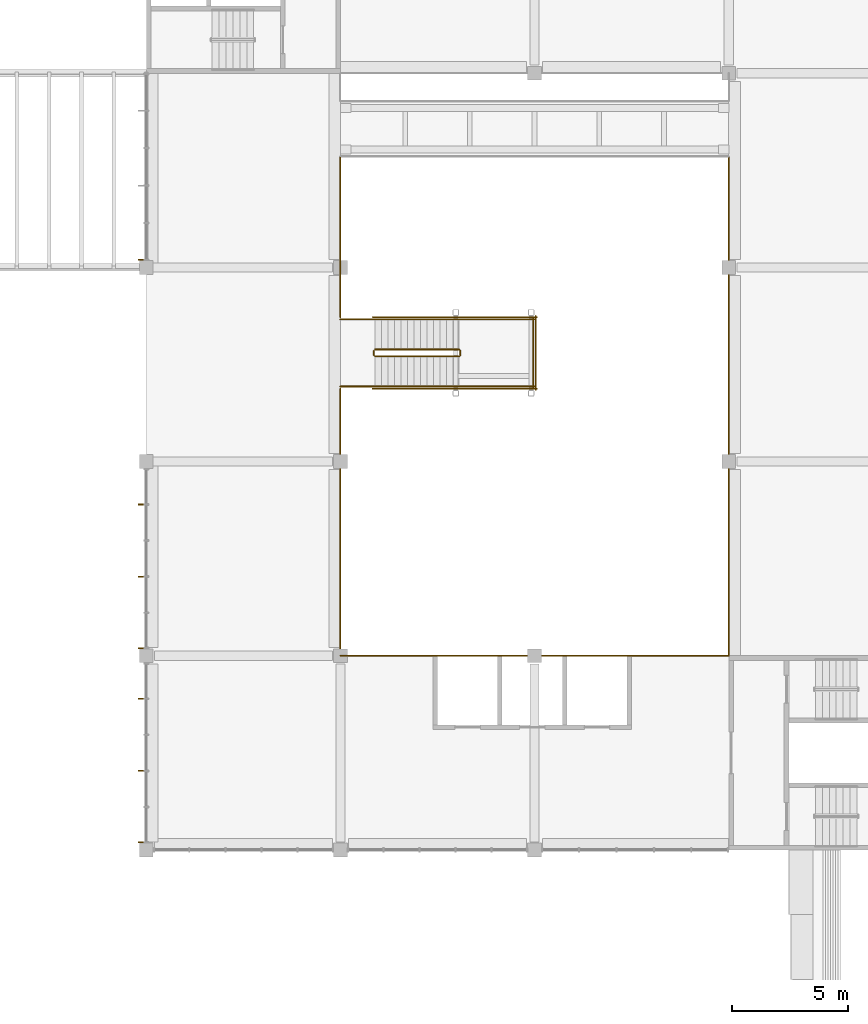
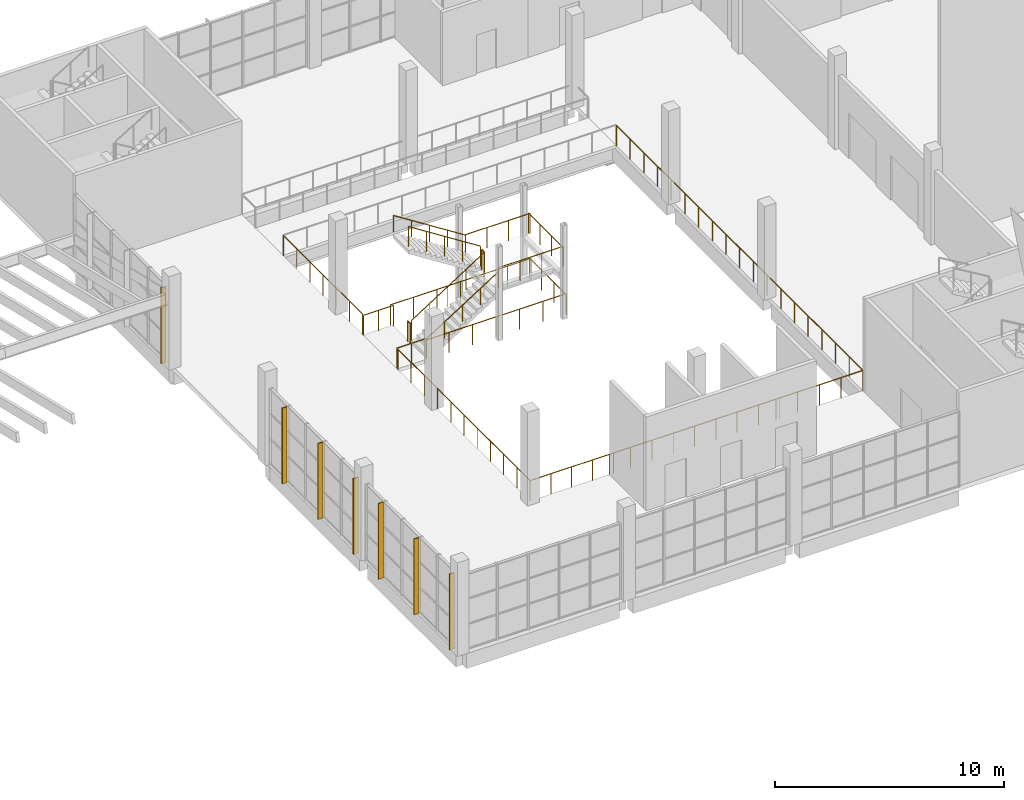
# One storey, part 53 of 59: 20 railings, 7 shading devices.
"""IFC4 building model written with IfcOpenShell, lengths in metres."""

from ifc_helpers import new_model, si_unit, direction, frame, origin, origin_2d, place, context, subcontext, project, spatial, rectangle, circle, extrude, material, material_profile, profile_set, type_object, element, save


model = new_model("IFC4")

# Units and contexts
model_context = context("Model", 3, precision=1e-05, world=origin(), true_north=direction((0.0, 1.0)))
body_context = subcontext(model_context, "Body", "Model", "MODEL_VIEW")
ifc_project = project(units=[si_unit("LENGTHUNIT", "METRE"), si_unit("AREAUNIT", "SQUARE_METRE"), si_unit("VOLUMEUNIT", "CUBIC_METRE"), si_unit("PLANEANGLEUNIT", "RADIAN"), si_unit("MASSUNIT", "GRAM", prefix="KILO")], contexts=[model_context])

# Site, building, storey
site_placement = place(None, origin())
site = spatial("IfcSite", under=ifc_project, at=site_placement, CompositionType="ELEMENT")
building_placement = place(site_placement, origin())
building = spatial("IfcBuilding", under=site, at=building_placement, Name="Almond Square Museum", CompositionType="ELEMENT")
storey_placement = place(building_placement, frame((0.0, 0.0, 25.0)))
storey = spatial("IfcBuildingStorey", under=building, at=storey_placement, Name="L04", CompositionType="ELEMENT", Elevation=25.0)

# Railings
ifc_material_1 = material(Name="Laminated glass and stainless steel", Category="steel")
railing_type_1 = type_object("IfcRailingType", Name="Atrium guard 1100 glass balustrade", PredefinedType="GUARDRAIL", material=ifc_material_1)
railing_1_placement = place(storey_placement, frame((81.60009765625, 75.60009765625, 0.0)))
element("IfcRailing", 1, at=railing_1_placement, inside=storey, type_object=railing_type_1, Name="L04 atrium guard 1", PredefinedType="GUARDRAIL", context=body_context, shape_type="SweptSolid", body=[
    extrude(circle(Radius=0.02392578125, at=origin_2d()), frame((0.0, 0.0, 1.076171875), z_axis=(0.0, 1.0, 0.0), x_axis=(-1.0, 0.0, 0.0)), (0.0, 0.0, 1.0), 11.5498046875),
    extrude(circle(Radius=0.02099609375, at=origin_2d()), origin(), (0.0, 0.0, 1.0), 1.052001953125),
    extrude(circle(Radius=0.02099609375, at=origin_2d()), frame((0.0, 1.155029296875, 0.0)), (0.0, 0.0, 1.0), 1.052001953125),
    extrude(circle(Radius=0.02099609375, at=origin_2d()), frame((0.0, 2.31005859375, 0.0)), (0.0, 0.0, 1.0), 1.052001953125),
    extrude(circle(Radius=0.02099609375, at=origin_2d()), frame((0.0, 3.46484375, 0.0)), (0.0, 0.0, 1.0), 1.052001953125),
    extrude(circle(Radius=0.02099609375, at=origin_2d()), frame((0.0, 4.619873046875, 0.0)), (0.0, 0.0, 1.0), 1.052001953125),
    extrude(circle(Radius=0.02099609375, at=origin_2d()), frame((0.0, 5.77490234375, 0.0)), (0.0, 0.0, 1.0), 1.052001953125),
    extrude(circle(Radius=0.02099609375, at=origin_2d()), frame((0.0, 6.929931640625, 0.0)), (0.0, 0.0, 1.0), 1.052001953125),
    extrude(circle(Radius=0.02099609375, at=origin_2d()), frame((0.0, 8.0849609375, 0.0)), (0.0, 0.0, 1.0), 1.052001953125),
    extrude(circle(Radius=0.02099609375, at=origin_2d()), frame((0.0, 9.23974609375, 0.0)), (0.0, 0.0, 1.0), 1.052001953125),
    extrude(circle(Radius=0.02099609375, at=origin_2d()), frame((0.0, 10.394775390625, 0.0)), (0.0, 0.0, 1.0), 1.052001953125),
    extrude(circle(Radius=0.02099609375, at=origin_2d()), frame((0.0, 11.5498046875, 0.0)), (0.0, 0.0, 1.0), 1.052001953125),
])
railing_2_placement = place(storey_placement, frame((81.60009765625, 90.25, 0.0)))
element("IfcRailing", 2, at=railing_2_placement, inside=storey, type_object=railing_type_1, Name="L04 atrium guard 2", PredefinedType="GUARDRAIL", context=body_context, shape_type="SweptSolid", body=[
    extrude(circle(Radius=0.02392578125, at=origin_2d()), frame((0.0, 0.0, 1.076171875), z_axis=(0.0, 1.0, 0.0), x_axis=(-1.0, 0.0, 0.0)), (0.0, 0.0, 1.0), 6.89990234375),
    extrude(circle(Radius=0.02099609375, at=origin_2d()), origin(), (0.0, 0.0, 1.0), 1.052001953125),
    extrude(circle(Radius=0.02099609375, at=origin_2d()), frame((0.0, 1.14990234375, 0.0)), (0.0, 0.0, 1.0), 1.052001953125),
    extrude(circle(Radius=0.02099609375, at=origin_2d()), frame((0.0, 2.300048828125, 0.0)), (0.0, 0.0, 1.0), 1.052001953125),
    extrude(circle(Radius=0.02099609375, at=origin_2d()), frame((0.0, 3.449951171875, 0.0)), (0.0, 0.0, 1.0), 1.052001953125),
    extrude(circle(Radius=0.02099609375, at=origin_2d()), frame((0.0, 4.599853515625, 0.0)), (0.0, 0.0, 1.0), 1.052001953125),
    extrude(circle(Radius=0.02099609375, at=origin_2d()), frame((0.0, 5.75, 0.0)), (0.0, 0.0, 1.0), 1.052001953125),
    extrude(circle(Radius=0.02099609375, at=origin_2d()), frame((0.0, 6.89990234375, 0.0)), (0.0, 0.0, 1.0), 1.052001953125),
])
railing_3_placement = place(storey_placement, frame((98.39990234375, 75.60009765625, 0.0)))
element("IfcRailing", 3, at=railing_3_placement, inside=storey, type_object=railing_type_1, Name="L04 atrium guard 4", PredefinedType="GUARDRAIL", context=body_context, shape_type="SweptSolid", body=[
    extrude(circle(Radius=0.02392578125, at=origin_2d()), frame((0.0, 0.0, 1.076171875), z_axis=(0.0, 1.0, 0.0), x_axis=(-1.0, 0.0, 0.0)), (0.0, 0.0, 1.0), 21.5498046875),
    extrude(circle(Radius=0.02099609375, at=origin_2d()), origin(), (0.0, 0.0, 1.0), 1.052001953125),
    extrude(circle(Radius=0.02099609375, at=origin_2d()), frame((0.0, 1.197265625, 0.0)), (0.0, 0.0, 1.0), 1.052001953125),
    extrude(circle(Radius=0.02099609375, at=origin_2d()), frame((0.0, 2.39453125, 0.0)), (0.0, 0.0, 1.0), 1.052001953125),
    extrude(circle(Radius=0.02099609375, at=origin_2d()), frame((0.0, 3.591552734375, 0.0)), (0.0, 0.0, 1.0), 1.052001953125),
    extrude(circle(Radius=0.02099609375, at=origin_2d()), frame((0.0, 4.788818359375, 0.0)), (0.0, 0.0, 1.0), 1.052001953125),
    extrude(circle(Radius=0.02099609375, at=origin_2d()), frame((0.0, 5.986083984375, 0.0)), (0.0, 0.0, 1.0), 1.052001953125),
    extrude(circle(Radius=0.02099609375, at=origin_2d()), frame((0.0, 7.183349609375, 0.0)), (0.0, 0.0, 1.0), 1.052001953125),
    extrude(circle(Radius=0.02099609375, at=origin_2d()), frame((0.0, 8.38037109375, 0.0)), (0.0, 0.0, 1.0), 1.052001953125),
    extrude(circle(Radius=0.02099609375, at=origin_2d()), frame((0.0, 9.57763671875, 0.0)), (0.0, 0.0, 1.0), 1.052001953125),
    extrude(circle(Radius=0.02099609375, at=origin_2d()), frame((0.0, 10.77490234375, 0.0)), (0.0, 0.0, 1.0), 1.052001953125),
    extrude(circle(Radius=0.02099609375, at=origin_2d()), frame((0.0, 11.97216796875, 0.0)), (0.0, 0.0, 1.0), 1.052001953125),
    extrude(circle(Radius=0.02099609375, at=origin_2d()), frame((0.0, 13.16943359375, 0.0)), (0.0, 0.0, 1.0), 1.052001953125),
    extrude(circle(Radius=0.02099609375, at=origin_2d()), frame((0.0, 14.366455078125, 0.0)), (0.0, 0.0, 1.0), 1.052001953125),
    extrude(circle(Radius=0.02099609375, at=origin_2d()), frame((0.0, 15.563720703125, 0.0)), (0.0, 0.0, 1.0), 1.052001953125),
    extrude(circle(Radius=0.02099609375, at=origin_2d()), frame((0.0, 16.760986328125, 0.0)), (0.0, 0.0, 1.0), 1.052001953125),
    extrude(circle(Radius=0.02099609375, at=origin_2d()), frame((0.0, 17.958251953125, 0.0)), (0.0, 0.0, 1.0), 1.052001953125),
    extrude(circle(Radius=0.02099609375, at=origin_2d()), frame((0.0, 19.1552734375, 0.0)), (0.0, 0.0, 1.0), 1.052001953125),
    extrude(circle(Radius=0.02099609375, at=origin_2d()), frame((0.0, 20.3525390625, 0.0)), (0.0, 0.0, 1.0), 1.052001953125),
    extrude(circle(Radius=0.02099609375, at=origin_2d()), frame((0.0, 21.5498046875, 0.0)), (0.0, 0.0, 1.0), 1.052001953125),
])
railing_4_placement = place(storey_placement, frame((81.60009765625, 75.60009765625, 0.0)))
element("IfcRailing", 4, at=railing_4_placement, inside=storey, type_object=railing_type_1, Name="L04 atrium guard 6", PredefinedType="GUARDRAIL", context=body_context, shape_type="SweptSolid", body=[
    extrude(circle(Radius=0.02392578125, at=origin_2d()), frame((0.0, 0.0, 1.076171875), z_axis=(1.0, 0.0, 0.0), x_axis=(0.0, 1.0, 0.0)), (0.0, 0.0, 1.0), 4.199951171875),
    extrude(circle(Radius=0.02099609375, at=origin_2d()), origin(), (0.0, 0.0, 1.0), 1.052001953125),
    extrude(circle(Radius=0.02099609375, at=origin_2d()), frame((1.050048828125, 0.0, 0.0)), (0.0, 0.0, 1.0), 1.052001953125),
    extrude(circle(Radius=0.02099609375, at=origin_2d()), frame((2.10009765625, 0.0, 0.0)), (0.0, 0.0, 1.0), 1.052001953125),
    extrude(circle(Radius=0.02099609375, at=origin_2d()), frame((3.14990234375, 0.0, 0.0)), (0.0, 0.0, 1.0), 1.052001953125),
    extrude(circle(Radius=0.02099609375, at=origin_2d()), frame((4.199951171875, 0.0, 0.0)), (0.0, 0.0, 1.0), 1.052001953125),
])
railing_5_placement = place(storey_placement, frame((94.0, 75.60009765625, 0.0)))
element("IfcRailing", 5, at=railing_5_placement, inside=storey, type_object=railing_type_1, Name="L04 atrium guard 7", PredefinedType="GUARDRAIL", context=body_context, shape_type="SweptSolid", body=[
    extrude(circle(Radius=0.02392578125, at=origin_2d()), frame((0.0, 0.0, 1.076171875), z_axis=(1.0, 0.0, 0.0), x_axis=(0.0, 1.0, 0.0)), (0.0, 0.0, 1.0), 4.39990234375),
    extrude(circle(Radius=0.02099609375, at=origin_2d()), origin(), (0.0, 0.0, 1.0), 1.052001953125),
    extrude(circle(Radius=0.02099609375, at=origin_2d()), frame((1.10009765625, 0.0, 0.0)), (0.0, 0.0, 1.0), 1.052001953125),
    extrude(circle(Radius=0.02099609375, at=origin_2d()), frame((2.199951171875, 0.0, 0.0)), (0.0, 0.0, 1.0), 1.052001953125),
    extrude(circle(Radius=0.02099609375, at=origin_2d()), frame((3.2998046875, 0.0, 0.0)), (0.0, 0.0, 1.0), 1.052001953125),
    extrude(circle(Radius=0.02099609375, at=origin_2d()), frame((4.39990234375, 0.0, 0.0)), (0.0, 0.0, 1.0), 1.052001953125),
])
railing_6_placement = place(storey_placement, frame((85.60009765625, 75.60009765625, 0.0)))
element("IfcRailing", 6, at=railing_6_placement, inside=storey, type_object=railing_type_1, Name="L04 atrium lift bank guard", PredefinedType="GUARDRAIL", context=body_context, shape_type="SweptSolid", body=[
    extrude(circle(Radius=0.02392578125, at=origin_2d()), frame((0.0, 0.0, 1.076171875), z_axis=(1.0, 0.0, 0.0), x_axis=(0.0, 1.0, 0.0)), (0.0, 0.0, 1.0), 8.599853515625),
    extrude(circle(Radius=0.02099609375, at=origin_2d()), origin(), (0.0, 0.0, 1.0), 1.052001953125),
    extrude(circle(Radius=0.02099609375, at=origin_2d()), frame((1.074951171875, 0.0, 0.0)), (0.0, 0.0, 1.0), 1.052001953125),
    extrude(circle(Radius=0.02099609375, at=origin_2d()), frame((2.14990234375, 0.0, 0.0)), (0.0, 0.0, 1.0), 1.052001953125),
    extrude(circle(Radius=0.02099609375, at=origin_2d()), frame((3.224853515625, 0.0, 0.0)), (0.0, 0.0, 1.0), 1.052001953125),
    extrude(circle(Radius=0.02099609375, at=origin_2d()), frame((4.2998046875, 0.0, 0.0)), (0.0, 0.0, 1.0), 1.052001953125),
    extrude(circle(Radius=0.02099609375, at=origin_2d()), frame((5.375, 0.0, 0.0)), (0.0, 0.0, 1.0), 1.052001953125),
    extrude(circle(Radius=0.02099609375, at=origin_2d()), frame((6.449951171875, 0.0, 0.0)), (0.0, 0.0, 1.0), 1.052001953125),
    extrude(circle(Radius=0.02099609375, at=origin_2d()), frame((7.52490234375, 0.0, 0.0)), (0.0, 0.0, 1.0), 1.052001953125),
    extrude(circle(Radius=0.02099609375, at=origin_2d()), frame((8.599853515625, 0.0, 0.0)), (0.0, 0.0, 1.0), 1.052001953125),
])
ifc_material_2 = material(Name="Stainless steel and laminated glass", Category="steel")
railing_type_2 = type_object("IfcRailingType", Name="Stair guard 1100 steel and glass", PredefinedType="GUARDRAIL", material=ifc_material_2)
railing_7_placement = place(storey_placement, frame((83.10009765625, 88.550048828125, 0.178466796875)))
element("IfcRailing", 7, at=railing_7_placement, inside=storey, type_object=railing_type_2, Name="L04 ST-F stair guard 1", PredefinedType="GUARDRAIL", context=body_context, shape_type="SweptSolid", body=[
    extrude(circle(Radius=0.02392578125, at=origin_2d()), frame((0.0, 0.0, 1.076171875), z_axis=(0.843111507901, 0.0, 0.53773877045), x_axis=(0.0, 1.0, 0.0)), (0.0, 0.0, 1.0), 4.317138671875),
    extrude(circle(Radius=0.02099609375, at=origin_2d()), origin(), (0.0, 0.0, 1.0), 1.052001953125),
    extrude(circle(Radius=0.02099609375, at=origin_2d()), frame((0.909912109375, 0.0, 0.580322265625)), (0.0, 0.0, 1.0), 1.052001953125),
    extrude(circle(Radius=0.02099609375, at=origin_2d()), frame((1.81982421875, 0.0, 1.16064453125)), (0.0, 0.0, 1.0), 1.052001953125),
    extrude(circle(Radius=0.02099609375, at=origin_2d()), frame((2.72998046875, 0.0, 1.7412109375)), (0.0, 0.0, 1.0), 1.052001953125),
    extrude(circle(Radius=0.02099609375, at=origin_2d()), frame((3.639892578125, 0.0, 2.321533203125)), (0.0, 0.0, 1.0), 1.052001953125),
])
railing_8_placement = place(storey_placement, frame((86.7900390625, 88.60009765625, 2.5)))
element("IfcRailing", 8, at=railing_8_placement, inside=storey, type_object=railing_type_2, Name="L04 ST-F stair guard 2", PredefinedType="GUARDRAIL", context=body_context, shape_type="SweptSolid", body=[
    extrude(circle(Radius=0.02392578125, at=origin_2d()), frame((0.0, 0.0, 1.076171875), z_axis=(0.0, 1.0, 0.0), x_axis=(-1.0, 0.0, 0.0)), (0.0, 0.0, 1.0), 0.199951171875),
    extrude(circle(Radius=0.02099609375, at=origin_2d()), origin(), (0.0, 0.0, 1.0), 1.052001953125),
    extrude(circle(Radius=0.02099609375, at=origin_2d()), frame((0.0, 0.199951171875, 0.0)), (0.0, 0.0, 1.0), 1.052001953125),
])
for number, where, name in (
    (9, (86.739990234375, 87.25, 2.5), "L04 ST-F stair guard 3"),
    (10, (86.739990234375, 90.14990234375, 2.5), "L04 ST-F stair guard 4"),
):
    element("IfcRailing", number, at=place(storey_placement, frame(where)), inside=storey, type_object=railing_type_2, Name=name, PredefinedType="GUARDRAIL", context=body_context, shape_type="SweptSolid", body=[
        extrude(circle(Radius=0.02392578125, at=origin_2d()), frame((0.0, 0.0, 1.076171875), z_axis=(1.0, 0.0, 0.0), x_axis=(0.0, 1.0, 0.0)), (0.0, 0.0, 1.0), 3.260009765625),
        extrude(circle(Radius=0.02099609375, at=origin_2d()), origin(), (0.0, 0.0, 1.0), 1.052001953125),
        extrude(circle(Radius=0.02099609375, at=origin_2d()), frame((1.086669921875, 0.0, 0.0)), (0.0, 0.0, 1.0), 1.052001953125),
        extrude(circle(Radius=0.02099609375, at=origin_2d()), frame((2.17333984375, 0.0, 0.0)), (0.0, 0.0, 1.0), 1.052001953125),
        extrude(circle(Radius=0.02099609375, at=origin_2d()), frame((3.260009765625, 0.0, 0.0)), (0.0, 0.0, 1.0), 1.052001953125),
    ])
railing_9_placement = place(storey_placement, frame((89.949951171875, 87.199951171875, 2.5)))
element("IfcRailing", 11, at=railing_9_placement, inside=storey, type_object=railing_type_2, Name="L04 ST-F stair guard 5", PredefinedType="GUARDRAIL", context=body_context, shape_type="SweptSolid", body=[
    extrude(circle(Radius=0.02392578125, at=origin_2d()), frame((0.0, 0.0, 1.076171875), z_axis=(0.0, 1.0, 0.0), x_axis=(-1.0, 0.0, 0.0)), (0.0, 0.0, 1.0), 3.0),
    extrude(circle(Radius=0.02099609375, at=origin_2d()), origin(), (0.0, 0.0, 1.0), 1.052001953125),
    extrude(circle(Radius=0.02099609375, at=origin_2d()), frame((0.0, 1.0, 0.0)), (0.0, 0.0, 1.0), 1.052001953125),
    extrude(circle(Radius=0.02099609375, at=origin_2d()), frame((0.0, 2.0, 0.0)), (0.0, 0.0, 1.0), 1.052001953125),
    extrude(circle(Radius=0.02099609375, at=origin_2d()), frame((0.0, 3.0, 0.0)), (0.0, 0.0, 1.0), 1.052001953125),
])
railing_10_placement = place(storey_placement, frame((86.739990234375, 88.85009765625, 2.678466796875)))
element("IfcRailing", 12, at=railing_10_placement, inside=storey, type_object=railing_type_2, Name="L04 ST-F stair guard 6", PredefinedType="GUARDRAIL", context=body_context, shape_type="SweptSolid", body=[
    extrude(circle(Radius=0.02392578125, at=origin_2d()), frame((0.0, 0.0, 1.076171875), z_axis=(-0.843111507901, 0.0, 0.53773877045), x_axis=(0.0, -1.0, 0.0)), (0.0, 0.0, 1.0), 4.317138671875),
    extrude(circle(Radius=0.02099609375, at=origin_2d()), origin(), (0.0, 0.0, 1.0), 1.052001953125),
    extrude(circle(Radius=0.02099609375, at=origin_2d()), frame((-0.909912109375, 0.0, 0.580322265625)), (0.0, 0.0, 1.0), 1.052001953125),
    extrude(circle(Radius=0.02099609375, at=origin_2d()), frame((-1.81982421875, 0.0, 1.16064453125)), (0.0, 0.0, 1.0), 1.052001953125),
    extrude(circle(Radius=0.02099609375, at=origin_2d()), frame((-2.72998046875, 0.0, 1.7412109375)), (0.0, 0.0, 1.0), 1.052001953125),
    extrude(circle(Radius=0.02099609375, at=origin_2d()), frame((-3.639892578125, 0.0, 2.321533203125)), (0.0, 0.0, 1.0), 1.052001953125),
])
railing_11_placement = place(storey_placement, frame((83.050048828125, 88.60009765625, 0.0)))
element("IfcRailing", 13, at=railing_11_placement, inside=storey, type_object=railing_type_2, Name="L04 ST-F stair guard 7", PredefinedType="GUARDRAIL", context=body_context, shape_type="SweptSolid", body=[
    extrude(circle(Radius=0.02392578125, at=origin_2d()), frame((0.0, 0.0, 1.076171875), z_axis=(0.0, 1.0, 0.0), x_axis=(-1.0, 0.0, 0.0)), (0.0, 0.0, 1.0), 0.199951171875),
    extrude(circle(Radius=0.02099609375, at=origin_2d()), origin(), (0.0, 0.0, 1.0), 1.052001953125),
    extrude(circle(Radius=0.02099609375, at=origin_2d()), frame((0.0, 0.199951171875, 0.0)), (0.0, 0.0, 1.0), 1.052001953125),
])
for number, where, name in (
    (14, (81.60009765625, 87.25, 0.0), "L04 ST-F stair guard 8"),
    (15, (81.60009765625, 90.14990234375, 0.0), "L04 ST-F stair guard 9"),
):
    element("IfcRailing", number, at=place(storey_placement, frame(where)), inside=storey, type_object=railing_type_2, Name=name, PredefinedType="GUARDRAIL", context=body_context, shape_type="SweptSolid", body=[
        extrude(circle(Radius=0.02392578125, at=origin_2d()), frame((0.0, 0.0, 1.076171875), z_axis=(1.0, 0.0, 0.0), x_axis=(0.0, 1.0, 0.0)), (0.0, 0.0, 1.0), 1.5),
        extrude(circle(Radius=0.02099609375, at=origin_2d()), origin(), (0.0, 0.0, 1.0), 1.052001953125),
        extrude(circle(Radius=0.02099609375, at=origin_2d()), frame((0.75, 0.0, 0.0)), (0.0, 0.0, 1.0), 1.052001953125),
        extrude(circle(Radius=0.02099609375, at=origin_2d()), frame((1.5, 0.0, 0.0)), (0.0, 0.0, 1.0), 1.052001953125),
    ])
for number, where, name in (
    (16, (83.0, 87.14990234375, 0.0), "L04 ST-F stair guard 10"),
    (17, (83.0, 90.25, 0.0), "L04 ST-F stair guard 11"),
):
    element("IfcRailing", number, at=place(storey_placement, frame(where)), inside=storey, type_object=railing_type_2, Name=name, PredefinedType="GUARDRAIL", context=body_context, shape_type="SweptSolid", body=[
        extrude(circle(Radius=0.02392578125, at=origin_2d()), frame((0.0, 0.0, 1.076171875), z_axis=(1.0, 0.0, 0.0), x_axis=(0.0, 1.0, 0.0)), (0.0, 0.0, 1.0), 7.10009765625),
        extrude(circle(Radius=0.02099609375, at=origin_2d()), origin(), (0.0, 0.0, 1.0), 1.052001953125),
        extrude(circle(Radius=0.02099609375, at=origin_2d()), frame((1.183349609375, 0.0, 0.0)), (0.0, 0.0, 1.0), 1.052001953125),
        extrude(circle(Radius=0.02099609375, at=origin_2d()), frame((2.36669921875, 0.0, 0.0)), (0.0, 0.0, 1.0), 1.052001953125),
        extrude(circle(Radius=0.02099609375, at=origin_2d()), frame((3.550048828125, 0.0, 0.0)), (0.0, 0.0, 1.0), 1.052001953125),
        extrude(circle(Radius=0.02099609375, at=origin_2d()), frame((4.7333984375, 0.0, 0.0)), (0.0, 0.0, 1.0), 1.052001953125),
        extrude(circle(Radius=0.02099609375, at=origin_2d()), frame((5.916748046875, 0.0, 0.0)), (0.0, 0.0, 1.0), 1.052001953125),
        extrude(circle(Radius=0.02099609375, at=origin_2d()), frame((7.10009765625, 0.0, 0.0)), (0.0, 0.0, 1.0), 1.052001953125),
    ])
railing_12_placement = place(storey_placement, frame((90.050048828125, 87.10009765625, 0.0)))
element("IfcRailing", 18, at=railing_12_placement, inside=storey, type_object=railing_type_2, Name="L04 ST-F stair guard 12", PredefinedType="GUARDRAIL", context=body_context, shape_type="SweptSolid", body=[
    extrude(circle(Radius=0.02392578125, at=origin_2d()), frame((0.0, 0.0, 1.076171875), z_axis=(0.0, 1.0, 0.0), x_axis=(-1.0, 0.0, 0.0)), (0.0, 0.0, 1.0), 3.199951171875),
    extrude(circle(Radius=0.02099609375, at=origin_2d()), origin(), (0.0, 0.0, 1.0), 1.052001953125),
    extrude(circle(Radius=0.02099609375, at=origin_2d()), frame((0.0, 1.066650390625, 0.0)), (0.0, 0.0, 1.0), 1.052001953125),
    extrude(circle(Radius=0.02099609375, at=origin_2d()), frame((0.0, 2.13330078125, 0.0)), (0.0, 0.0, 1.0), 1.052001953125),
    extrude(circle(Radius=0.02099609375, at=origin_2d()), frame((0.0, 3.199951171875, 0.0)), (0.0, 0.0, 1.0), 1.052001953125),
])
ifc_material_3 = material(Name="Stainless steel", Category="steel")
railing_type_3 = type_object("IfcRailingType", Name="Stair handrail 900 steel", PredefinedType="HANDRAIL", material=ifc_material_3)
railing_13_placement = place(storey_placement, frame((83.10009765625, 87.25, 0.178466796875)))
element("IfcRailing", 19, at=railing_13_placement, inside=storey, type_object=railing_type_3, Name="L04 ST-F stair handrail 1", PredefinedType="HANDRAIL", context=body_context, shape_type="SweptSolid", body=[
    extrude(circle(Radius=0.02392578125, at=origin_2d()), frame((0.0, 0.0, 0.8759765625), z_axis=(0.843111507901, 0.0, 0.53773877045), x_axis=(0.0, 1.0, 0.0)), (0.0, 0.0, 1.0), 4.317138671875),
    extrude(circle(Radius=0.02099609375, at=origin_2d()), origin(), (0.0, 0.0, 1.0), 0.851806640625),
    extrude(circle(Radius=0.02099609375, at=origin_2d()), frame((0.909912109375, 0.0, 0.580322265625)), (0.0, 0.0, 1.0), 0.851806640625),
    extrude(circle(Radius=0.02099609375, at=origin_2d()), frame((1.81982421875, 0.0, 1.16064453125)), (0.0, 0.0, 1.0), 0.851806640625),
    extrude(circle(Radius=0.02099609375, at=origin_2d()), frame((2.72998046875, 0.0, 1.7412109375)), (0.0, 0.0, 1.0), 0.851806640625),
    extrude(circle(Radius=0.02099609375, at=origin_2d()), frame((3.639892578125, 0.0, 2.321533203125)), (0.0, 0.0, 1.0), 0.851806640625),
])
railing_14_placement = place(storey_placement, frame((86.739990234375, 90.14990234375, 2.678466796875)))
element("IfcRailing", 20, at=railing_14_placement, inside=storey, type_object=railing_type_3, Name="L04 ST-F stair handrail 2", PredefinedType="HANDRAIL", context=body_context, shape_type="SweptSolid", body=[
    extrude(circle(Radius=0.02392578125, at=origin_2d()), frame((0.0, 0.0, 0.8759765625), z_axis=(-0.843111507901, 0.0, 0.53773877045), x_axis=(0.0, -1.0, 0.0)), (0.0, 0.0, 1.0), 4.317138671875),
    extrude(circle(Radius=0.02099609375, at=origin_2d()), origin(), (0.0, 0.0, 1.0), 0.851806640625),
    extrude(circle(Radius=0.02099609375, at=origin_2d()), frame((-0.909912109375, 0.0, 0.580322265625)), (0.0, 0.0, 1.0), 0.851806640625),
    extrude(circle(Radius=0.02099609375, at=origin_2d()), frame((-1.81982421875, 0.0, 1.16064453125)), (0.0, 0.0, 1.0), 0.851806640625),
    extrude(circle(Radius=0.02099609375, at=origin_2d()), frame((-2.72998046875, 0.0, 1.7412109375)), (0.0, 0.0, 1.0), 0.851806640625),
    extrude(circle(Radius=0.02099609375, at=origin_2d()), frame((-3.639892578125, 0.0, 2.321533203125)), (0.0, 0.0, 1.0), 0.851806640625),
])

# Shading devices
ifc_material_4 = material(Name="Cedar timber fin", Category="wood")
ifc_material_profile = material_profile(ifc_material_4, rectangle(XDim=0.25, YDim=0.050048828125, at=origin_2d()))
ifc_profile_set = profile_set([ifc_material_profile], Name="Cedar timber fin")
shading_device_type = type_object("IfcShadingDeviceType", Name="Timber fin 250 x 50", PredefinedType="USERDEFINED", material=ifc_profile_set)
for number, where, z_axis, x_axis, name in (
    (21, (72.97705078125, 92.72998046875, 0.0), (0.0, 0.0, 1.0), (-1.0, 0.0, 0.0), "Timber fin"),
    (22, (72.97705078125, 75.929931640625, 0.0), (0.0, 0.0, 1.0), (-1.0, 0.0, 0.0), "Timber fin"),
    (23, (72.97705078125, 79.02001953125, 0.0), (0.0, 0.0, 1.0), (-1.0, 0.0, 0.0), "Timber fin"),
    (24, (72.97705078125, 82.139892578125, 0.0), (0.0, 0.0, 1.0), (-1.0, 0.0, 0.0), "Timber fin"),
    (25, (72.97705078125, 67.530029296875, 0.0), (0.0, 0.0, 1.0), (-1.0, 0.0, 0.0), "Timber fin"),
    (26, (72.97705078125, 70.6201171875, 0.0), (0.0, 0.0, 1.0), (-1.0, 0.0, 0.0), "Timber fin"),
    (27, (72.97705078125, 73.739990234375, 0.0), (0.0, 0.0, 1.0), (-1.0, 0.0, 0.0), "Timber fin"),
):
    element("IfcShadingDevice", number, at=place(storey_placement, frame(where, z_axis=z_axis, x_axis=x_axis)), inside=storey, type_object=shading_device_type, Name=name, ObjectType="FIN", PredefinedType="USERDEFINED", context=body_context, shape_type="SweptSolid", body=[
        extrude(rectangle(XDim=0.25, YDim=0.050048828125, at=origin_2d()), origin(), (0.0, 0.0, 1.0), 4.050048828125),
    ])

save(model, "model.ifc")
